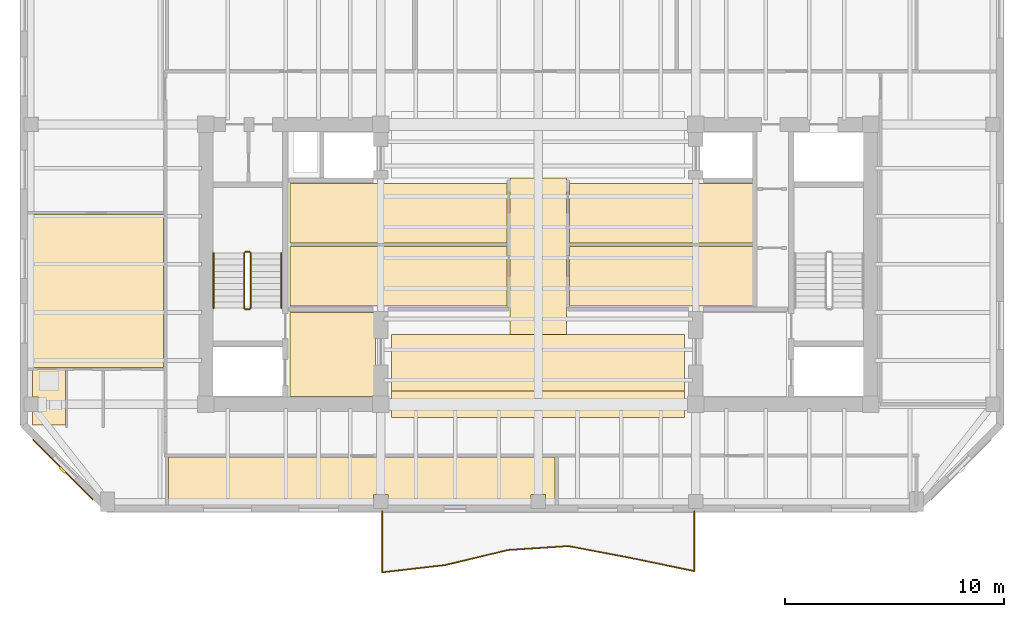
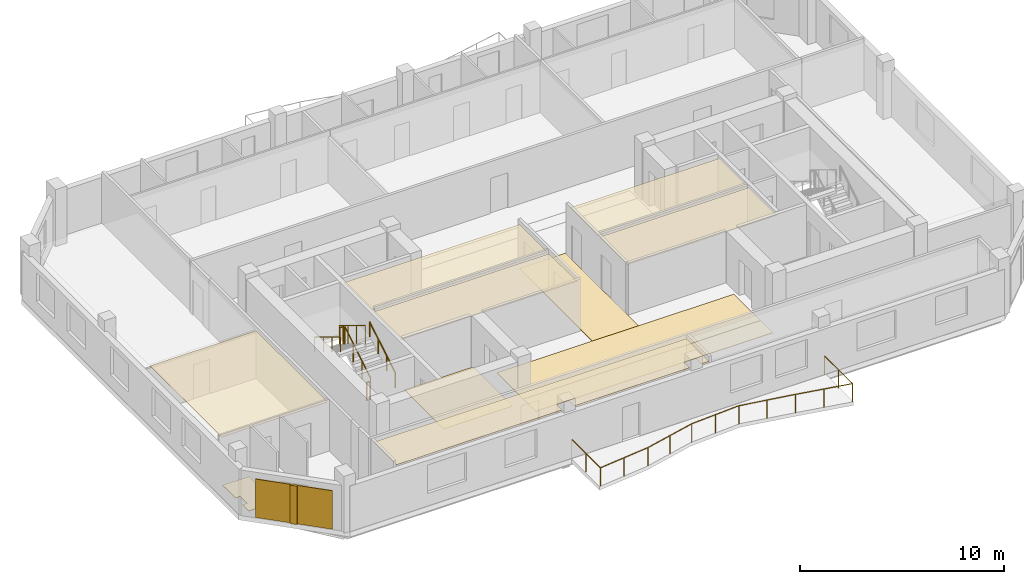
# One storey, part 7 of 10: 12 coverings, 7 railings, 1 shading device.
"""IFC4 building model written with IfcOpenShell, lengths in metres."""

from ifc_helpers import new_model, si_unit, direction, frame, origin, origin_2d, place, context, subcontext, project, spatial, polyline, rectangle, circle, outline, extrude, material, layer, layer_set, type_object, element, save


model = new_model("IFC4")

# Units and contexts
model_context = context("Model", 3, precision=1e-05, world=origin(), true_north=direction((0.0, 1.0)))
body_context = subcontext(model_context, "Body", "Model", "MODEL_VIEW")
ifc_project = project(units=[si_unit("LENGTHUNIT", "METRE"), si_unit("AREAUNIT", "SQUARE_METRE"), si_unit("VOLUMEUNIT", "CUBIC_METRE"), si_unit("PLANEANGLEUNIT", "RADIAN"), si_unit("MASSUNIT", "GRAM", prefix="KILO")], contexts=[model_context])

# Site, building, storey
site_placement = place(None, origin())
site = spatial("IfcSite", under=ifc_project, at=site_placement, CompositionType="ELEMENT")
building_placement = place(site_placement, origin())
building = spatial("IfcBuilding", under=site, at=building_placement, Name="Kranthara Brick Stack", CompositionType="ELEMENT")
storey_placement = place(building_placement, frame((0.0, 0.0, 275.5)))
storey = spatial("IfcBuildingStorey", under=building, at=storey_placement, Name="L73", CompositionType="ELEMENT", Elevation=275.5)

# Coverings
ifc_material_1 = material(Name="Perforated mineral-fibre acoustic ceiling tile", Category="other")
ifc_layer_1 = layer(ifc_material_1, 0.02490234375)
ifc_layer_set_1 = layer_set([ifc_layer_1], Name="Perforated mineral-fibre acoustic ceiling tile")
covering_type_1 = type_object("IfcCoveringType", Name="COV-CEIL-ACOUSTIC", PredefinedType="CEILING", material=ifc_layer_set_1)
covering_1_placement = place(storey_placement, frame((0.0, 0.0, 2.830078125)))
element("IfcCovering", 1, at=covering_1_placement, inside=storey, type_object=covering_type_1, Name="L73 L73 Sky Club Study Room Acoustic Ceiling", PredefinedType="CEILING", context=body_context, shape_type="SweptSolid", body=[
    extrude(outline(polyline([(26.570068359375, 25.300048828125), (26.570068359375, 28.02001953125), (16.64990234375, 28.02001953125), (16.64990234375, 25.300048828125), (26.570068359375, 25.300048828125)])), origin(), (0.0, 0.0, 1.0), 0.02490234375),
])
covering_2_placement = place(storey_placement, frame((0.0, 0.0, 2.830078125)))
element("IfcCovering", 2, at=covering_2_placement, inside=storey, type_object=covering_type_1, Name="L73 L73 Sky Club Media Salon Acoustic Ceiling", PredefinedType="CEILING", context=body_context, shape_type="SweptSolid", body=[
    extrude(outline(polyline([(26.570068359375, 28.179931640625), (26.570068359375, 30.89990234375), (16.64990234375, 30.89990234375), (16.64990234375, 28.179931640625), (26.570068359375, 28.179931640625)])), origin(), (0.0, 0.0, 1.0), 0.02490234375),
])
covering_3_placement = place(storey_placement, frame((0.0, 0.0, 2.830078125)))
element("IfcCovering", 3, at=covering_3_placement, inside=storey, type_object=covering_type_1, Name="L73 L73 Sky Club Tea Room Acoustic Ceiling", PredefinedType="CEILING", context=body_context, shape_type="SweptSolid", body=[
    extrude(outline(polyline([(37.8798828125, 25.300048828125), (37.8798828125, 28.02001953125), (29.429931640625, 28.02001953125), (29.429931640625, 25.300048828125), (37.8798828125, 25.300048828125)])), origin(), (0.0, 0.0, 1.0), 0.02490234375),
])
covering_4_placement = place(storey_placement, frame((0.0, 0.0, 2.830078125)))
element("IfcCovering", 4, at=covering_4_placement, inside=storey, type_object=covering_type_1, Name="L73 L73 Sky Club Private Dining Room Acoustic Ceiling", PredefinedType="CEILING", context=body_context, shape_type="SweptSolid", body=[
    extrude(outline(polyline([(37.8798828125, 28.179931640625), (37.8798828125, 30.89990234375), (29.429931640625, 30.89990234375), (29.429931640625, 28.179931640625), (37.8798828125, 28.179931640625)])), origin(), (0.0, 0.0, 1.0), 0.02490234375),
])
covering_5_placement = place(storey_placement, frame((0.0, 0.0, 2.830078125)))
element("IfcCovering", 5, at=covering_5_placement, inside=storey, type_object=covering_type_1, Name="L73 L73 Sky Club Observation Lounge 1 Acoustic Ceiling", PredefinedType="CEILING", context=body_context, shape_type="SweptSolid", body=[
    extrude(outline(polyline([(11.10009765625, 18.3798828125), (28.76611328125, 18.3798828125), (28.76611328125, 16.14990234375), (28.3349609375, 16.14990234375), (28.3349609375, 16.68505859375), (27.6650390625, 16.68505859375), (27.6650390625, 16.14990234375), (21.135009765625, 16.14990234375), (21.135009765625, 16.68505859375), (20.465087890625, 16.68505859375), (20.465087890625, 16.14990234375), (11.10009765625, 16.14990234375), (11.10009765625, 18.3798828125)])), origin(), (0.0, 0.0, 1.0), 0.02490234375),
])
covering_6_placement = place(storey_placement, frame((0.0, 0.0, 2.830078125)))
element("IfcCovering", 6, at=covering_6_placement, inside=storey, type_object=covering_type_1, Name="L73 Unit L73D Private Study Room Acoustic Ceiling", PredefinedType="CEILING", context=body_context, shape_type="SweptSolid", body=[
    extrude(outline(polyline([(10.860107421875, 22.47998046875), (10.860107421875, 29.506103515625), (4.8701171875, 29.506103515625), (4.8701171875, 22.47998046875), (10.860107421875, 22.47998046875)])), origin(), (0.0, 0.0, 1.0), 0.02490234375),
])
ifc_material_2 = material(Name="Warm buff kiln-fired brick slip rainscreen", Category="masonry")
ifc_layer_2 = layer(ifc_material_2, 0.044921875)
ifc_layer_set_2 = layer_set([ifc_layer_2], Name="Warm buff kiln-fired brick slip rainscreen")
covering_type_2 = type_object("IfcCoveringType", Name="COV-CLAD-BRICK", PredefinedType="CLADDING", material=ifc_layer_set_2)
covering_7_placement = place(storey_placement, frame((6.2626953125, 17.812744140625, 0.0498046875), z_axis=(0.0, 0.0, 1.0), x_axis=(-0.707106781187, 0.707106781187, 0.0)))
element("IfcCovering", 7, at=covering_7_placement, inside=storey, type_object=covering_type_2, Name="L73 Chamfer Brick Rainscreen Cladding SW", PredefinedType="CLADDING", context=body_context, shape_type="SweptSolid", body=[
    extrude(rectangle(XDim=3.889892578125, YDim=0.044921875, at=origin_2d()), origin(), (0.0, 0.0, 1.0), 2.300048828125),
])
ifc_material_3 = material(Name="Honed terrazzo and porcelain floor finish", Category="stone")
ifc_layer_3 = layer(ifc_material_3, 0.030029296875)
ifc_layer_set_3 = layer_set([ifc_layer_3], Name="Honed terrazzo and porcelain floor finish")
covering_type_3 = type_object("IfcCoveringType", Name="COV-FLOR-STONE", PredefinedType="FLOORING", material=ifc_layer_set_3)
covering_8_placement = place(storey_placement, origin())
element("IfcCovering", 8, at=covering_8_placement, inside=storey, type_object=covering_type_3, Name="L73 Lift Lobby Stone Flooring", PredefinedType="FLOORING", context=body_context, shape_type="SweptSolid", body=[
    extrude(outline(polyline([(16.64990234375, 21.14990234375), (16.64990234375, 25.0), (20.550048828125, 25.0), (20.550048828125, 21.18505859375), (20.4150390625, 21.18505859375), (20.4150390625, 21.14990234375), (16.64990234375, 21.14990234375)])), origin(), (0.0, 0.0, 1.0), 0.030029296875),
])
covering_9_placement = place(storey_placement, origin())
element("IfcCovering", 9, at=covering_9_placement, inside=storey, type_object=covering_type_3, Name="L73 Lift Lobby Stone Flooring", PredefinedType="FLOORING", context=body_context, shape_type="SweptSolid", body=[
    extrude(outline(polyline([(34.699951171875, 21.39990234375), (34.699951171875, 24.0), (21.300048828125, 24.0), (21.300048828125, 21.39990234375), (34.699951171875, 21.39990234375)])), origin(), (0.0, 0.0, 1.0), 0.030029296875),
])
covering_10_placement = place(storey_placement, origin())
element("IfcCovering", 10, at=covering_10_placement, inside=storey, type_object=covering_type_3, Name="L73 Lift Lobby Stone Flooring", PredefinedType="FLOORING", context=body_context, shape_type="SweptSolid", body=[
    extrude(outline(polyline([(29.300048828125, 24.0), (26.699951171875, 24.0), (26.699951171875, 31.14990234375), (29.300048828125, 31.14990234375), (29.300048828125, 24.0)])), origin(), (0.0, 0.0, 1.0), 0.030029296875),
])
covering_11_placement = place(storey_placement, origin())
element("IfcCovering", 11, at=covering_11_placement, inside=storey, type_object=covering_type_3, Name="L73 Lift Lobby Stone Flooring", PredefinedType="FLOORING", context=body_context, shape_type="SweptSolid", body=[
    extrude(outline(polyline([(34.699951171875, 20.199951171875), (21.300048828125, 20.199951171875), (21.300048828125, 21.39990234375), (34.699951171875, 21.39990234375), (34.699951171875, 20.199951171875)])), origin(), (0.0, 0.0, 1.0), 0.030029296875),
])
covering_12_placement = place(storey_placement, origin())
element("IfcCovering", 12, at=covering_12_placement, inside=storey, type_object=covering_type_3, Name="L73 Wet Room Porcelain Flooring", PredefinedType="FLOORING", context=body_context, shape_type="SweptSolid", body=[
    extrude(outline(polyline([(4.8701171875, 22.39990234375), (6.375, 22.39990234375), (6.375, 19.85009765625), (4.8701171875, 19.85009765625), (4.8701171875, 20.465087890625), (5.135009765625, 20.465087890625), (5.135009765625, 21.135009765625), (4.8701171875, 21.135009765625), (4.8701171875, 22.39990234375)])), origin(), (0.0, 0.0, 1.0), 0.030029296875),
])

# Railings
ifc_material_4 = material(Name="Bronze anodised aluminium and laminated glass balustrade", Category="aluminium")
railing_type_1 = type_object("IfcRailingType", Name="RL-BALC-1120", PredefinedType="BALUSTRADE", material=ifc_material_4)
railing_1_placement = place(storey_placement, frame((35.139892578125, 15.909912109375, 0.0)))
element("IfcRailing", 13, at=railing_1_placement, inside=storey, type_object=railing_type_1, Name="L73 South Rippling Balcony Balustrade", PredefinedType="BALUSTRADE", context=body_context, shape_type="SweptSolid", body=[
    extrude(circle(Radius=0.02392578125, at=origin_2d()), frame((0.0, 0.0, 1.09619140625), z_axis=(0.000267022687, -0.999999964349, 0.0), x_axis=(0.999999964349, 0.000267022687, 0.0)), (0.0, 0.0, 1.0), 2.742919921875),
    extrude(circle(Radius=0.02392578125, at=origin_2d()), frame((0.000732421875, -2.742919921875, 1.09619140625), z_axis=(-0.979094874508, 0.203404097086, 0.0), x_axis=(-0.203404097086, -0.979094874508, 0.0)), (0.0, 0.0, 1.0), 2.94189453125),
    extrude(circle(Radius=0.02392578125, at=origin_2d()), frame((-2.879638671875, -2.14453125, 1.09619140625), z_axis=(-0.982431017849, 0.186626083835, 0.0), x_axis=(-0.186626083835, -0.982431017849, 0.0)), (0.0, 0.0, 1.0), 2.931640625),
    extrude(circle(Radius=0.02392578125, at=origin_2d()), frame((-5.759765625, -1.597412109375, 1.09619140625), z_axis=(-0.997899251958, -0.064784897482, 0.0), x_axis=(0.064784897482, -0.997899251958, 0.0)), (0.0, 0.0, 1.0), 2.76611328125),
    extrude(circle(Radius=0.02392578125, at=origin_2d()), frame((-8.52001953125, -1.776611328125, 1.09619140625), z_axis=(-0.972555380238, -0.23267151173, 0.0), x_axis=(0.23267151173, -0.972555380238, 0.0)), (0.0, 0.0, 1.0), 2.962158203125),
    extrude(circle(Radius=0.02392578125, at=origin_2d()), frame((-11.40087890625, -2.4658203125, 1.09619140625), z_axis=(-0.993437308354, -0.114377945294, 0.0), x_axis=(0.114377945294, -0.993437308354, 0.0)), (0.0, 0.0, 1.0), 2.898681640625),
    extrude(circle(Radius=0.02392578125, at=origin_2d()), frame((-14.280517578125, -2.79736328125, 1.09619140625), z_axis=(0.00026182579, 0.999999965724, 0.0), x_axis=(-0.999999965724, 0.00026182579, 0.0)), (0.0, 0.0, 1.0), 2.79736328125),
    extrude(circle(Radius=0.02099609375, at=origin_2d()), origin(), (0.0, 0.0, 1.0), 1.072021484375),
    extrude(circle(Radius=0.02099609375, at=origin_2d()), frame((0.00048828125, -1.37158203125, 0.0)), (0.0, 0.0, 1.0), 1.072021484375),
    extrude(circle(Radius=0.02099609375, at=origin_2d()), frame((0.000732421875, -2.742919921875, 0.0)), (0.0, 0.0, 1.0), 1.072021484375),
    extrude(circle(Radius=0.02099609375, at=origin_2d()), frame((-1.439453125, -2.44384765625, 0.0)), (0.0, 0.0, 1.0), 1.072021484375),
    extrude(circle(Radius=0.02099609375, at=origin_2d()), frame((-2.879638671875, -2.14453125, 0.0)), (0.0, 0.0, 1.0), 1.072021484375),
    extrude(circle(Radius=0.02099609375, at=origin_2d()), frame((-4.31982421875, -1.87109375, 0.0)), (0.0, 0.0, 1.0), 1.072021484375),
    extrude(circle(Radius=0.02099609375, at=origin_2d()), frame((-5.759765625, -1.597412109375, 0.0)), (0.0, 0.0, 1.0), 1.072021484375),
    extrude(circle(Radius=0.02099609375, at=origin_2d()), frame((-7.139892578125, -1.68701171875, 0.0)), (0.0, 0.0, 1.0), 1.072021484375),
    extrude(circle(Radius=0.02099609375, at=origin_2d()), frame((-8.52001953125, -1.776611328125, 0.0)), (0.0, 0.0, 1.0), 1.072021484375),
    extrude(circle(Radius=0.02099609375, at=origin_2d()), frame((-9.96044921875, -2.12109375, 0.0)), (0.0, 0.0, 1.0), 1.072021484375),
    extrude(circle(Radius=0.02099609375, at=origin_2d()), frame((-11.40087890625, -2.4658203125, 0.0)), (0.0, 0.0, 1.0), 1.072021484375),
    extrude(circle(Radius=0.02099609375, at=origin_2d()), frame((-12.8408203125, -2.631591796875, 0.0)), (0.0, 0.0, 1.0), 1.072021484375),
    extrude(circle(Radius=0.02099609375, at=origin_2d()), frame((-14.280517578125, -2.79736328125, 0.0)), (0.0, 0.0, 1.0), 1.072021484375),
    extrude(circle(Radius=0.02099609375, at=origin_2d()), frame((-14.2802734375, -1.398681640625, 0.0)), (0.0, 0.0, 1.0), 1.072021484375),
    extrude(circle(Radius=0.02099609375, at=origin_2d()), frame((-14.27978515625, 0.0, 0.0)), (0.0, 0.0, 1.0), 1.072021484375),
])
ifc_material_5 = material(Name="Painted galvanized steel stair guardrail", Category="steel")
railing_type_2 = type_object("IfcRailingType", Name="RL-STAIR-GUARD-1100", PredefinedType="GUARDRAIL", material=ifc_material_5)
railing_2_placement = place(storey_placement, frame((14.85009765625, 25.199951171875, 0.169921875)))
element("IfcRailing", 14, at=railing_2_placement, inside=storey, type_object=railing_type_2, Name="L73 ST01 stair guard 1", PredefinedType="GUARDRAIL", context=body_context, shape_type="SweptSolid", body=[
    extrude(circle(Radius=0.02392578125, at=origin_2d()), frame((0.0, 0.0, 1.076171875), z_axis=(0.0, 0.85478489116, 0.518982456201), x_axis=(-1.0, 0.0, 0.0)), (0.0, 0.0, 1.0), 2.9482421875),
    extrude(circle(Radius=0.02099609375, at=origin_2d()), origin(), (0.0, 0.0, 1.0), 1.052001953125),
    extrude(circle(Radius=0.02099609375, at=origin_2d()), frame((0.0, 0.840087890625, 0.510009765625)), (0.0, 0.0, 1.0), 1.052001953125),
    extrude(circle(Radius=0.02099609375, at=origin_2d()), frame((0.0, 1.679931640625, 1.02001953125)), (0.0, 0.0, 1.0), 1.052001953125),
    extrude(circle(Radius=0.02099609375, at=origin_2d()), frame((0.0, 2.52001953125, 1.530029296875)), (0.0, 0.0, 1.0), 1.052001953125),
])
railing_3_placement = place(storey_placement, frame((14.800048828125, 27.77001953125, 1.699951171875)))
element("IfcRailing", 15, at=railing_3_placement, inside=storey, type_object=railing_type_2, Name="L73 ST01 stair guard 2", PredefinedType="GUARDRAIL", context=body_context, shape_type="SweptSolid", body=[
    extrude(circle(Radius=0.02392578125, at=origin_2d()), frame((0.0, 0.0, 1.076171875), z_axis=(-1.0, 0.0, 0.0), x_axis=(0.0, -1.0, 0.0)), (0.0, 0.0, 1.0), 0.199951171875),
    extrude(circle(Radius=0.02099609375, at=origin_2d()), origin(), (0.0, 0.0, 1.0), 1.052001953125),
    extrude(circle(Radius=0.02099609375, at=origin_2d()), frame((-0.199951171875, 0.0, 0.0)), (0.0, 0.0, 1.0), 1.052001953125),
])
railing_4_placement = place(storey_placement, frame((14.550048828125, 27.719970703125, 1.8701171875)))
element("IfcRailing", 16, at=railing_4_placement, inside=storey, type_object=railing_type_2, Name="L73 ST01 stair guard 3", PredefinedType="GUARDRAIL", context=body_context, shape_type="SweptSolid", body=[
    extrude(circle(Radius=0.02392578125, at=origin_2d()), frame((0.0, 0.0, 1.076171875), z_axis=(0.0, -0.854821627497, 0.518921945155), x_axis=(1.0, 0.0, 0.0)), (0.0, 0.0, 1.0), 2.947998046875),
    extrude(circle(Radius=0.02099609375, at=origin_2d()), origin(), (0.0, 0.0, 1.0), 1.052001953125),
    extrude(circle(Radius=0.02099609375, at=origin_2d()), frame((0.0, -0.840087890625, 0.510009765625)), (0.0, 0.0, 1.0), 1.052001953125),
    extrude(circle(Radius=0.02099609375, at=origin_2d()), frame((0.0, -1.679931640625, 1.019775390625)), (0.0, 0.0, 1.0), 1.052001953125),
    extrude(circle(Radius=0.02099609375, at=origin_2d()), frame((0.0, -2.52001953125, 1.52978515625)), (0.0, 0.0, 1.0), 1.052001953125),
])
railing_5_placement = place(storey_placement, frame((14.800048828125, 25.14990234375, 0.0)))
element("IfcRailing", 17, at=railing_5_placement, inside=storey, type_object=railing_type_2, Name="L73 ST01 stair guard 4", PredefinedType="GUARDRAIL", context=body_context, shape_type="SweptSolid", body=[
    extrude(circle(Radius=0.02392578125, at=origin_2d()), frame((0.0, 0.0, 1.076171875), z_axis=(-1.0, 0.0, 0.0), x_axis=(0.0, -1.0, 0.0)), (0.0, 0.0, 1.0), 0.199951171875),
    extrude(circle(Radius=0.02099609375, at=origin_2d()), origin(), (0.0, 0.0, 1.0), 1.052001953125),
    extrude(circle(Radius=0.02099609375, at=origin_2d()), frame((-0.199951171875, 0.0, 0.0)), (0.0, 0.0, 1.0), 1.052001953125),
])
ifc_material_6 = material(Name="Brushed stainless steel tubular handrail", Category="steel")
railing_type_3 = type_object("IfcRailingType", Name="RL-STAIR-HAND-900", PredefinedType="HANDRAIL", material=ifc_material_6)
railing_6_placement = place(storey_placement, frame((16.25, 25.199951171875, 0.169921875)))
element("IfcRailing", 18, at=railing_6_placement, inside=storey, type_object=railing_type_3, Name="L73 ST01 stair handrail 1", PredefinedType="HANDRAIL", context=body_context, shape_type="SweptSolid", body=[
    extrude(circle(Radius=0.02392578125, at=origin_2d()), frame((0.0, 0.0, 0.8759765625), z_axis=(0.0, 0.85478489116, 0.518982456201), x_axis=(-1.0, 0.0, 0.0)), (0.0, 0.0, 1.0), 2.9482421875),
    extrude(circle(Radius=0.02099609375, at=origin_2d()), origin(), (0.0, 0.0, 1.0), 0.851806640625),
    extrude(circle(Radius=0.02099609375, at=origin_2d()), frame((0.0, 0.840087890625, 0.510009765625)), (0.0, 0.0, 1.0), 0.851806640625),
    extrude(circle(Radius=0.02099609375, at=origin_2d()), frame((0.0, 1.679931640625, 1.02001953125)), (0.0, 0.0, 1.0), 0.851806640625),
    extrude(circle(Radius=0.02099609375, at=origin_2d()), frame((0.0, 2.52001953125, 1.530029296875)), (0.0, 0.0, 1.0), 0.851806640625),
])
railing_7_placement = place(storey_placement, frame((13.14990234375, 27.719970703125, 1.8701171875)))
element("IfcRailing", 19, at=railing_7_placement, inside=storey, type_object=railing_type_3, Name="L73 ST01 stair handrail 2", PredefinedType="HANDRAIL", context=body_context, shape_type="SweptSolid", body=[
    extrude(circle(Radius=0.02392578125, at=origin_2d()), frame((0.0, 0.0, 0.8759765625), z_axis=(0.0, -0.854821627497, 0.518921945155), x_axis=(1.0, 0.0, 0.0)), (0.0, 0.0, 1.0), 2.947998046875),
    extrude(circle(Radius=0.02099609375, at=origin_2d()), origin(), (0.0, 0.0, 1.0), 0.851806640625),
    extrude(circle(Radius=0.02099609375, at=origin_2d()), frame((0.0, -0.840087890625, 0.510009765625)), (0.0, 0.0, 1.0), 0.851806640625),
    extrude(circle(Radius=0.02099609375, at=origin_2d()), frame((0.0, -1.679931640625, 1.019775390625)), (0.0, 0.0, 1.0), 0.851806640625),
    extrude(circle(Radius=0.02099609375, at=origin_2d()), frame((0.0, -2.52001953125, 1.52978515625)), (0.0, 0.0, 1.0), 0.851806640625),
])

# Shading device
ifc_material_7 = material(Name="Kiln-fired terracotta aerodynamic wind fin", Category="masonry")
shading_device_type = type_object("IfcShadingDeviceType", Name="SHD-BAFFLE-CORNER", PredefinedType="SHUTTER", material=ifc_material_7)
shading_device_placement = place(storey_placement, frame((6.241455078125, 17.79150390625, 0.0498046875), z_axis=(0.0, 0.0, 1.0), x_axis=(-0.707106781187, 0.707106781187, 0.0)))
element("IfcShadingDevice", 20, at=shading_device_placement, inside=storey, type_object=shading_device_type, Name="L73 Chamfer Wind-Baffle Fin SW", PredefinedType="SHUTTER", context=body_context, shape_type="SweptSolid", body=[
    extrude(rectangle(XDim=0.35009765625, YDim=0.1201171875, at=origin_2d()), origin(), (0.0, 0.0, 1.0), 2.300048828125),
])

save(model, "model.ifc")
